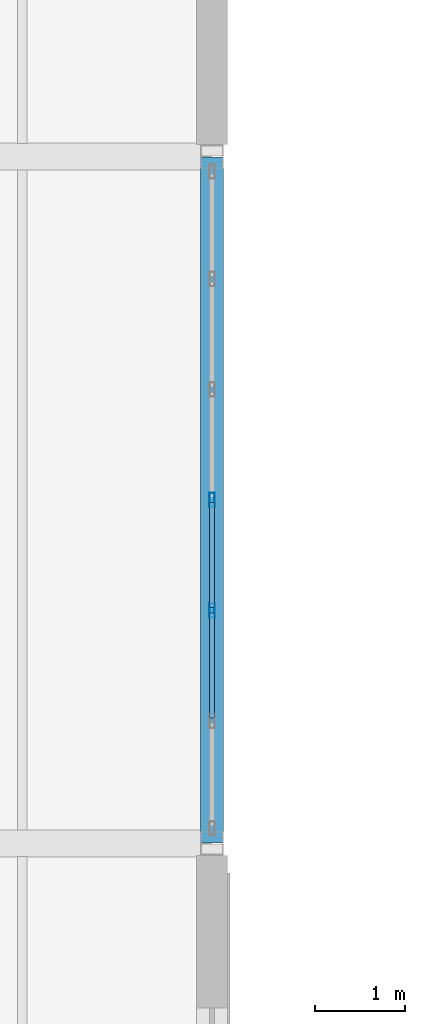
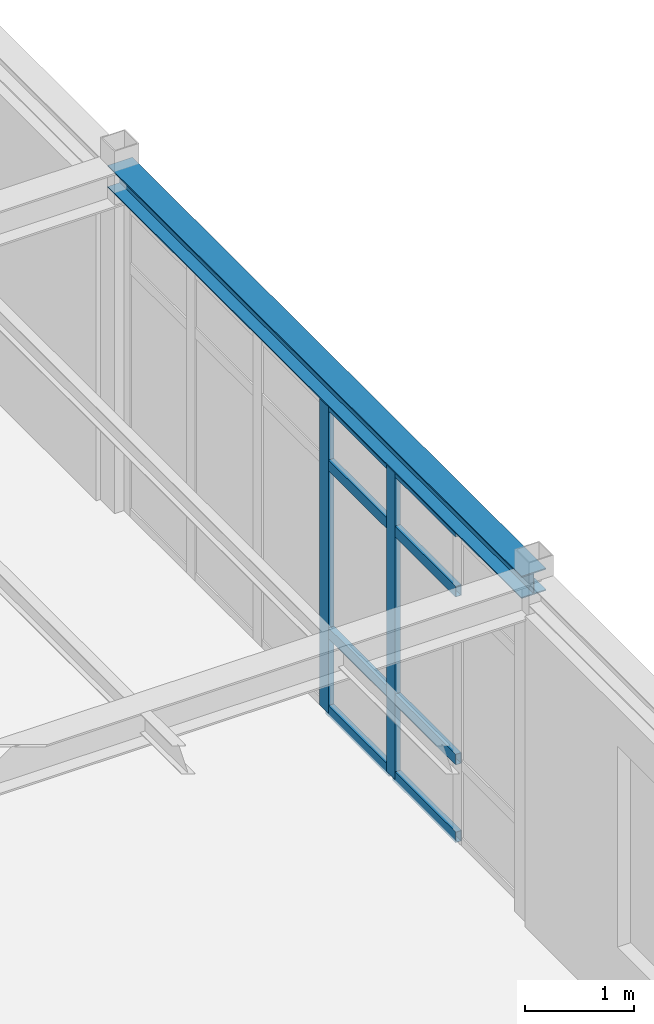
# One storey, part 98 of 189: 10 members, 1 beam, 1 element without a shape of its own.
"""IFC4 building model written with IfcOpenShell, lengths in metres."""

from ifc_helpers import new_model, si_unit, direction, frame, origin, origin_2d, place, context, subcontext, project, spatial, hollow_rectangle, i_section, extrude, material, layer, layer_set, material_profile, profile_set, type_object, element, aggregate, save


model = new_model("IFC4")

# Units and contexts
model_context = context("Model", 3, precision=1e-05, world=origin(), true_north=direction((0.0, 1.0)))
body_context = subcontext(model_context, "Body", "Model", "MODEL_VIEW")
ifc_project = project(units=[si_unit("LENGTHUNIT", "METRE"), si_unit("AREAUNIT", "SQUARE_METRE"), si_unit("VOLUMEUNIT", "CUBIC_METRE"), si_unit("PLANEANGLEUNIT", "RADIAN"), si_unit("MASSUNIT", "GRAM", prefix="KILO")], contexts=[model_context])

# Site, building, storey
site_placement = place(None, origin())
site = spatial("IfcSite", under=ifc_project, at=site_placement, CompositionType="ELEMENT")
building_placement = place(site_placement, origin())
building = spatial("IfcBuilding", under=site, at=building_placement, Name="Montecoro Central Library", CompositionType="ELEMENT")
storey_placement = place(building_placement, frame((0.0, 0.0, 9.179931640625)))
storey = spatial("IfcBuildingStorey", under=building, at=storey_placement, Name="L02", CompositionType="ELEMENT", Elevation=9.179931640625)

# Beam
ifc_material_1 = material(Name="Steel S355", Category="steel")
ifc_material_profile_1 = material_profile(ifc_material_1, i_section(OverallWidth=0.260009765625, OverallDepth=0.25, WebThickness=0.007568359375, FlangeThickness=0.012451171875, at=origin_2d()), Name="HEA 260")
ifc_profile_set_1 = profile_set([ifc_material_profile_1], Name="Steel S355")
beam_type = type_object("IfcBeamType", Name="BM-SP-HEA260", PredefinedType="SPANDREL", material=ifc_profile_set_1)
beam_placement = place(storey_placement, frame((116.800048828125, 96.205078125, 3.699951171875), z_axis=(0.0, 1.0, 0.0), x_axis=(-1.0, 0.0, 0.0)))
element("IfcBeam", 1, at=beam_placement, inside=storey, type_object=beam_type, Name="V2-L02-BY-15-NP", PredefinedType="SPANDREL", context=body_context, shape_type="SweptSolid", body=[
    extrude(i_section(OverallWidth=0.260009765625, OverallDepth=0.25, WebThickness=0.007568359375, FlangeThickness=0.012451171875, at=origin_2d()), origin(), (0.0, 0.0, 1.0), 7.58984375),
])

# Curtain wall, members
ifc_material_2 = material(Name="Bronze-anodised aluminium and low-E glazing", Category="aluminium")
ifc_layer = layer(ifc_material_2, 0.159912109375)
ifc_layer_set = layer_set([ifc_layer], Name="Bronze-anodised aluminium and low-E glazing")
curtain_wall_type = type_object("IfcCurtainWallType", Name="CWT-015", PredefinedType="NOTDEFINED", material=ifc_layer_set)
curtain_wall_placement = place(storey_placement, origin())
curtain_wall = element("IfcCurtainWall", 2, at=curtain_wall_placement, inside=storey, type_object=curtain_wall_type, Name="V2-L02-CW-E2", PredefinedType="NOTDEFINED")
ifc_material_3 = material(Name="Bronze-anodised aluminium", Category="aluminium")
ifc_material_profile_2 = material_profile(ifc_material_3, hollow_rectangle(XDim=0.06005859375, YDim=0.159912109375, WallThickness=0.00390625, at=origin_2d()), Name="CWM 160x60x4.0")
ifc_profile_set_2 = profile_set([ifc_material_profile_2], Name="Bronze-anodised aluminium")
member_type_1 = type_object("IfcMemberType", Name="CWM-BRZ-60", PredefinedType="MULLION", material=ifc_profile_set_2)
member_1_placement = place(storey_placement, frame((116.800048828125, 98.777587890625, 0.0), z_axis=(0.0, 0.0, 1.0), x_axis=(-1.0, 0.0, 0.0)))
member_1 = element("IfcMember", 3, at=member_1_placement, type_object=member_type_1, Name="CW-015 mullion 3", PredefinedType="MULLION", context=body_context, shape_type="SweptSolid", body=[
    extrude(hollow_rectangle(XDim=0.06005859375, YDim=0.159912109375, WallThickness=0.00390625, at=origin_2d()), origin(), (0.0, 0.0, 1.0), 3.47998046875),
])
member_2_placement = place(storey_placement, frame((116.800048828125, 100.0, 0.0), z_axis=(0.0, 0.0, 1.0), x_axis=(-1.0, 0.0, 0.0)))
member_2 = element("IfcMember", 4, at=member_2_placement, type_object=member_type_1, Name="CW-015 mullion 4", PredefinedType="MULLION", context=body_context, shape_type="SweptSolid", body=[
    extrude(hollow_rectangle(XDim=0.06005859375, YDim=0.159912109375, WallThickness=0.00390625, at=origin_2d()), origin(), (0.0, 0.0, 1.0), 3.47998046875),
])
ifc_material_profile_3 = material_profile(ifc_material_3, hollow_rectangle(XDim=0.06005859375, YDim=0.1201171875, WallThickness=0.00390625, at=origin_2d()), Name="CWT 120x60x4.0")
ifc_profile_set_3 = profile_set([ifc_material_profile_3], Name="Bronze-anodised aluminium")
member_type_2 = type_object("IfcMemberType", Name="CWT-BRZ-60", PredefinedType="USERDEFINED", material=ifc_profile_set_3)
member_3_placement = place(storey_placement, frame((116.800048828125, 97.58544921875, 0.030029296875), z_axis=(0.0, 1.0, 0.0), x_axis=(-1.0, 0.0, 0.0)))
member_3 = element("IfcMember", 5, at=member_3_placement, type_object=member_type_2, Name="CW-015 transom 2.1", ObjectType="TRANSOM", PredefinedType="USERDEFINED", context=body_context, shape_type="SweptSolid", body=[
    extrude(hollow_rectangle(XDim=0.06005859375, YDim=0.1201171875, WallThickness=0.00390625, at=origin_2d()), origin(), (0.0, 0.0, 1.0), 1.162109375),
])
member_4_placement = place(storey_placement, frame((116.800048828125, 97.58544921875, 0.900146484375), z_axis=(0.0, 1.0, 0.0), x_axis=(-1.0, 0.0, 0.0)))
member_4 = element("IfcMember", 6, at=member_4_placement, type_object=member_type_2, Name="CW-015 transom 2.2", ObjectType="TRANSOM", PredefinedType="USERDEFINED", context=body_context, shape_type="SweptSolid", body=[
    extrude(hollow_rectangle(XDim=0.06005859375, YDim=0.1201171875, WallThickness=0.00390625, at=origin_2d()), origin(), (0.0, 0.0, 1.0), 1.162109375),
])
member_5_placement = place(storey_placement, frame((116.800048828125, 97.58544921875, 2.780029296875), z_axis=(0.0, 1.0, 0.0), x_axis=(-1.0, 0.0, 0.0)))
member_5 = element("IfcMember", 7, at=member_5_placement, type_object=member_type_2, Name="CW-015 transom 2.3", ObjectType="TRANSOM", PredefinedType="USERDEFINED", context=body_context, shape_type="SweptSolid", body=[
    extrude(hollow_rectangle(XDim=0.06005859375, YDim=0.1201171875, WallThickness=0.00390625, at=origin_2d()), origin(), (0.0, 0.0, 1.0), 1.162109375),
])
member_6_placement = place(storey_placement, frame((116.800048828125, 97.58544921875, 3.449951171875), z_axis=(0.0, 1.0, 0.0), x_axis=(-1.0, 0.0, 0.0)))
member_6 = element("IfcMember", 8, at=member_6_placement, type_object=member_type_2, Name="CW-015 transom 2.4", ObjectType="TRANSOM", PredefinedType="USERDEFINED", context=body_context, shape_type="SweptSolid", body=[
    extrude(hollow_rectangle(XDim=0.06005859375, YDim=0.1201171875, WallThickness=0.00390625, at=origin_2d()), origin(), (0.0, 0.0, 1.0), 1.162109375),
])
member_7_placement = place(storey_placement, frame((116.800048828125, 98.8076171875, 0.030029296875), z_axis=(0.0, 1.0, 0.0), x_axis=(-1.0, 0.0, 0.0)))
member_7 = element("IfcMember", 9, at=member_7_placement, type_object=member_type_2, Name="CW-015 transom 3.1", ObjectType="TRANSOM", PredefinedType="USERDEFINED", context=body_context, shape_type="SweptSolid", body=[
    extrude(hollow_rectangle(XDim=0.06005859375, YDim=0.1201171875, WallThickness=0.00390625, at=origin_2d()), origin(), (0.0, 0.0, 1.0), 1.162353515625),
])
member_8_placement = place(storey_placement, frame((116.800048828125, 98.8076171875, 0.900146484375), z_axis=(0.0, 1.0, 0.0), x_axis=(-1.0, 0.0, 0.0)))
member_8 = element("IfcMember", 10, at=member_8_placement, type_object=member_type_2, Name="CW-015 transom 3.2", ObjectType="TRANSOM", PredefinedType="USERDEFINED", context=body_context, shape_type="SweptSolid", body=[
    extrude(hollow_rectangle(XDim=0.06005859375, YDim=0.1201171875, WallThickness=0.00390625, at=origin_2d()), origin(), (0.0, 0.0, 1.0), 1.162353515625),
])
member_9_placement = place(storey_placement, frame((116.800048828125, 98.8076171875, 2.780029296875), z_axis=(0.0, 1.0, 0.0), x_axis=(-1.0, 0.0, 0.0)))
member_9 = element("IfcMember", 11, at=member_9_placement, type_object=member_type_2, Name="CW-015 transom 3.3", ObjectType="TRANSOM", PredefinedType="USERDEFINED", context=body_context, shape_type="SweptSolid", body=[
    extrude(hollow_rectangle(XDim=0.06005859375, YDim=0.1201171875, WallThickness=0.00390625, at=origin_2d()), origin(), (0.0, 0.0, 1.0), 1.162353515625),
])
member_10_placement = place(storey_placement, frame((116.800048828125, 98.8076171875, 3.449951171875), z_axis=(0.0, 1.0, 0.0), x_axis=(-1.0, 0.0, 0.0)))
member_10 = element("IfcMember", 12, at=member_10_placement, type_object=member_type_2, Name="CW-015 transom 3.4", ObjectType="TRANSOM", PredefinedType="USERDEFINED", context=body_context, shape_type="SweptSolid", body=[
    extrude(hollow_rectangle(XDim=0.06005859375, YDim=0.1201171875, WallThickness=0.00390625, at=origin_2d()), origin(), (0.0, 0.0, 1.0), 1.162353515625),
])
aggregate(curtain_wall, [member_1, member_2, member_3, member_4, member_5, member_6, member_7, member_8, member_9, member_10])

save(model, "model.ifc")
